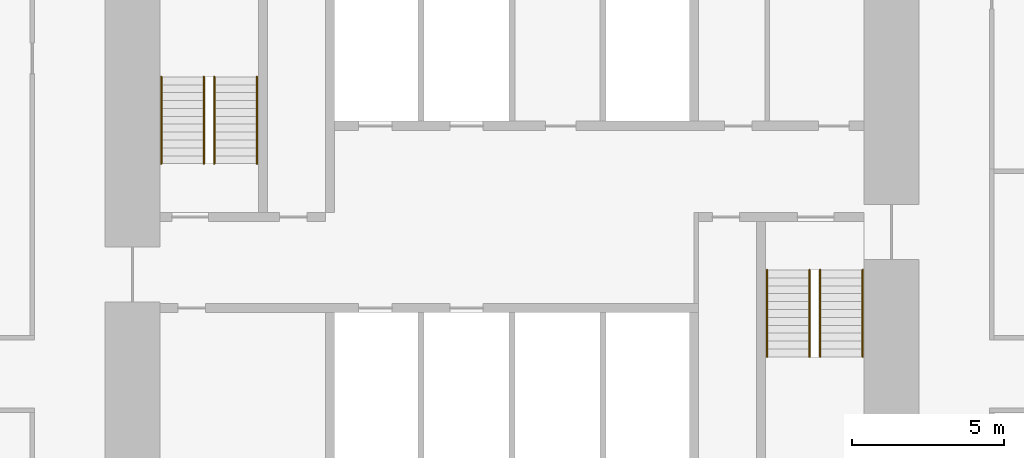
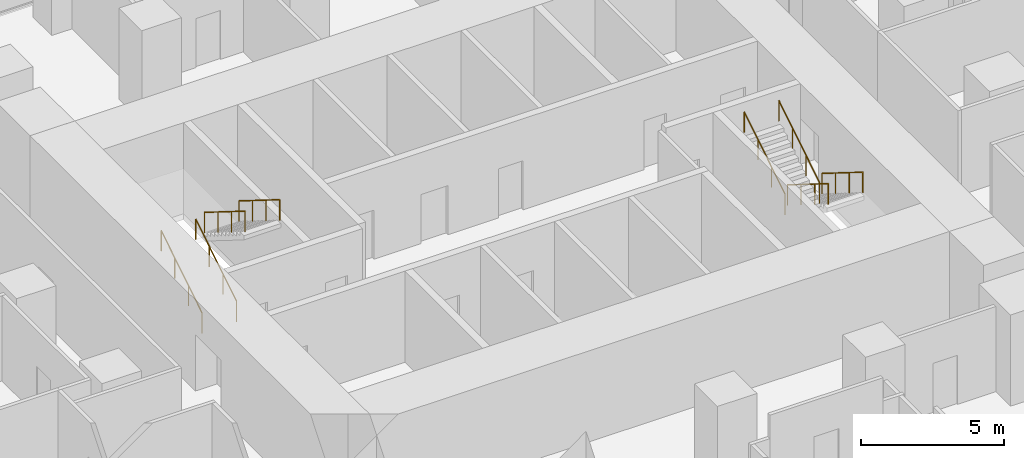
# One storey, part 11 of 11: 8 railings.
"""IFC4 building model written with IfcOpenShell, lengths in metres."""

from ifc_helpers import new_model, si_unit, direction, frame, origin, origin_2d, place, context, subcontext, project, spatial, circle, extrude, material, type_object, element, save


model = new_model("IFC4")

# Units and contexts
model_context = context("Model", 3, precision=1e-05, world=origin(), true_north=direction((0.0, 1.0)))
body_context = subcontext(model_context, "Body", "Model", "MODEL_VIEW")
ifc_project = project(units=[si_unit("LENGTHUNIT", "METRE"), si_unit("AREAUNIT", "SQUARE_METRE"), si_unit("VOLUMEUNIT", "CUBIC_METRE"), si_unit("PLANEANGLEUNIT", "RADIAN"), si_unit("MASSUNIT", "GRAM", prefix="KILO")], contexts=[model_context])

# Site, building, storey
site_placement = place(None, origin())
site = spatial("IfcSite", under=ifc_project, at=site_placement, CompositionType="ELEMENT")
building_placement = place(site_placement, origin())
building = spatial("IfcBuilding", under=site, at=building_placement, Name="Highveld Stack Headquarters", CompositionType="ELEMENT")
storey_placement = place(building_placement, frame((0.0, 0.0, 144.5)))
storey = spatial("IfcBuildingStorey", under=building, at=storey_placement, Name="L35", CompositionType="ELEMENT", Elevation=144.5)

# Railings
ifc_material = material(Name="Stainless steel handrail", Category="steel")
railing_type = type_object("IfcRailingType", Name="STAIR HANDRAIL HR1 900", PredefinedType="HANDRAIL", material=ifc_material)
for number, where, name in (
    (1, (-5.550048828125, 4.75, 0.16259765625), "Handrail S1 L35 flight 1"),
    (2, (-4.14990234375, 4.75, 0.16259765625), "Handrail S1 L35 flight 1"),
):
    element("IfcRailing", number, at=place(storey_placement, frame(where)), inside=storey, type_object=railing_type, Name=name, PredefinedType="HANDRAIL", context=body_context, shape_type="SweptSolid", body=[
        extrude(circle(Radius=0.02392578125, at=origin_2d()), frame((0.0, 0.0, 0.8759765625), z_axis=(0.0, 0.848026770018, 0.529953391661), x_axis=(-1.0, 0.0, 0.0)), (0.0, 0.0, 1.0), 3.37255859375),
        extrude(circle(Radius=0.02099609375, at=origin_2d()), origin(), (0.0, 0.0, 1.0), 0.851806640625),
        extrude(circle(Radius=0.02099609375, at=origin_2d()), frame((0.0, 0.953369140625, 0.595703125)), (0.0, 0.0, 1.0), 0.851806640625),
        extrude(circle(Radius=0.02099609375, at=origin_2d()), frame((0.0, 1.90673828125, 1.191650390625)), (0.0, 0.0, 1.0), 0.851806640625),
        extrude(circle(Radius=0.02099609375, at=origin_2d()), frame((0.0, 2.860107421875, 1.787353515625)), (0.0, 0.0, 1.0), 0.851806640625),
    ])
for number, where, name in (
    (3, (-3.800048828125, 7.610107421875, 2.112548828125), "Handrail S1 L35 flight 2"),
    (4, (-2.39990234375, 7.610107421875, 2.112548828125), "Handrail S1 L35 flight 2"),
    (5, (16.14990234375, 1.25, 0.16259765625), "Handrail S2 L35 flight 1"),
    (6, (17.550048828125, 1.25, 0.16259765625), "Handrail S2 L35 flight 1"),
):
    element("IfcRailing", number, at=place(storey_placement, frame(where)), inside=storey, type_object=railing_type, Name=name, PredefinedType="HANDRAIL", context=body_context, shape_type="SweptSolid", body=[
        extrude(circle(Radius=0.02392578125, at=origin_2d()), frame((0.0, 0.0, 0.8759765625), z_axis=(0.0, -0.848026770018, 0.529953391661), x_axis=(1.0, 0.0, 0.0)), (0.0, 0.0, 1.0), 3.37255859375),
        extrude(circle(Radius=0.02099609375, at=origin_2d()), origin(), (0.0, 0.0, 1.0), 0.851806640625),
        extrude(circle(Radius=0.02099609375, at=origin_2d()), frame((0.0, -0.953369140625, 0.595703125)), (0.0, 0.0, 1.0), 0.851806640625),
        extrude(circle(Radius=0.02099609375, at=origin_2d()), frame((0.0, -1.90673828125, 1.191650390625)), (0.0, 0.0, 1.0), 0.851806640625),
        extrude(circle(Radius=0.02099609375, at=origin_2d()), frame((0.0, -2.860107421875, 1.787353515625)), (0.0, 0.0, 1.0), 0.851806640625),
    ])
for number, where, name in (
    (7, (14.39990234375, -1.610107421875, 2.112548828125), "Handrail S2 L35 flight 2"),
    (8, (15.800048828125, -1.610107421875, 2.112548828125), "Handrail S2 L35 flight 2"),
):
    element("IfcRailing", number, at=place(storey_placement, frame(where)), inside=storey, type_object=railing_type, Name=name, PredefinedType="HANDRAIL", context=body_context, shape_type="SweptSolid", body=[
        extrude(circle(Radius=0.02392578125, at=origin_2d()), frame((0.0, 0.0, 0.8759765625), z_axis=(0.0, 0.848026770018, 0.529953391661), x_axis=(-1.0, 0.0, 0.0)), (0.0, 0.0, 1.0), 3.37255859375),
        extrude(circle(Radius=0.02099609375, at=origin_2d()), origin(), (0.0, 0.0, 1.0), 0.851806640625),
        extrude(circle(Radius=0.02099609375, at=origin_2d()), frame((0.0, 0.953369140625, 0.595703125)), (0.0, 0.0, 1.0), 0.851806640625),
        extrude(circle(Radius=0.02099609375, at=origin_2d()), frame((0.0, 1.90673828125, 1.191650390625)), (0.0, 0.0, 1.0), 0.851806640625),
        extrude(circle(Radius=0.02099609375, at=origin_2d()), frame((0.0, 2.860107421875, 1.787353515625)), (0.0, 0.0, 1.0), 0.851806640625),
    ])

save(model, "model.ifc")
